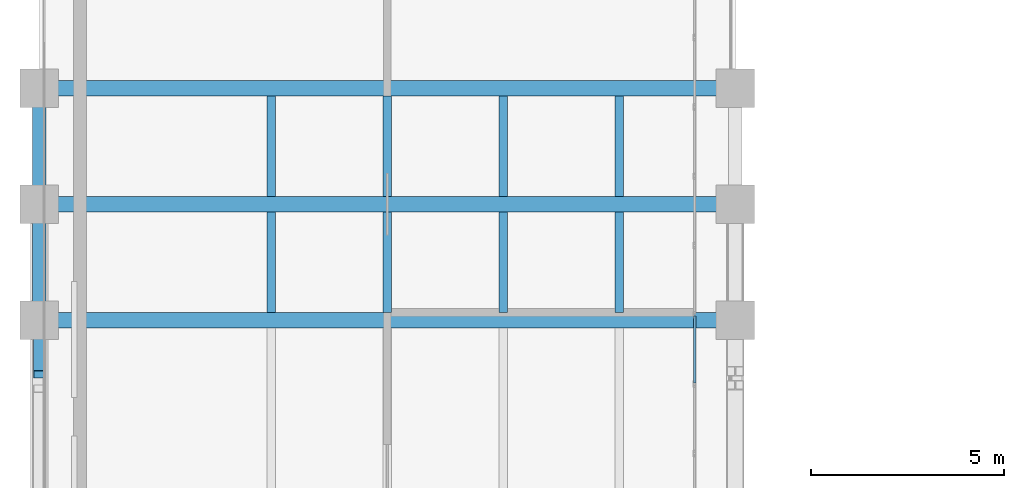
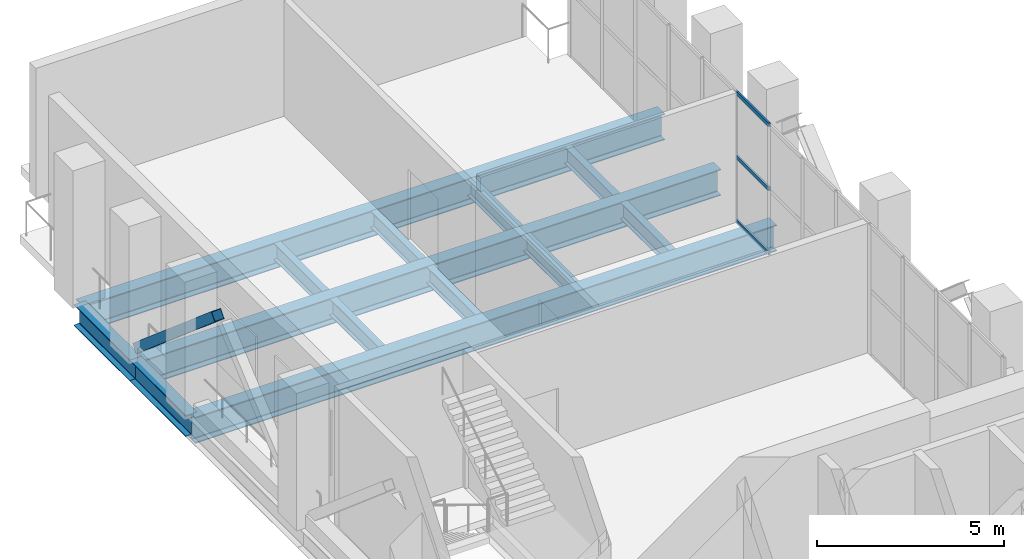
# One storey, part 19 of 27: 13 beams, 4 members, 1 element without a shape of its own.
"""IFC4 building model written with IfcOpenShell, lengths in metres."""

from ifc_helpers import new_model, si_unit, direction, frame, origin, origin_2d, place, context, subcontext, project, spatial, hollow_rectangle, i_section, extrude, material, layer, layer_set, material_profile, profile_set, type_object, element, aggregate, save


model = new_model("IFC4")

# Units and contexts
model_context = context("Model", 3, precision=1e-05, world=origin(), true_north=direction((0.0, 1.0)))
body_context = subcontext(model_context, "Body", "Model", "MODEL_VIEW")
ifc_project = project(units=[si_unit("LENGTHUNIT", "METRE"), si_unit("AREAUNIT", "SQUARE_METRE"), si_unit("VOLUMEUNIT", "CUBIC_METRE"), si_unit("PLANEANGLEUNIT", "RADIAN"), si_unit("MASSUNIT", "GRAM", prefix="KILO")], contexts=[model_context])

# Site, building, storey
site_placement = place(None, origin())
site = spatial("IfcSite", under=ifc_project, at=site_placement, CompositionType="ELEMENT")
building_placement = place(site_placement, origin())
building = spatial("IfcBuilding", under=site, at=building_placement, Name="Mawjdan Bourse Tower", CompositionType="ELEMENT")
storey_placement = place(building_placement, frame((0.0, 0.0, 155.699951171875)))
storey = spatial("IfcBuildingStorey", under=building, at=storey_placement, Name="L37", CompositionType="ELEMENT", Elevation=155.699951171875)

# Member
ifc_material_1 = material(Name="Structural Steel S460", Category="steel")
ifc_material_profile_1 = material_profile(ifc_material_1, hollow_rectangle(XDim=0.300048828125, YDim=0.300048828125, WallThickness=0.012451171875, at=origin_2d()), Name="HSS300X300X12.5")
ifc_profile_set_1 = profile_set([ifc_material_profile_1], Name="Structural Steel S460")
member_type_1 = type_object("IfcMemberType", Name="BRC-HSS300X300X12.5", PredefinedType="BRACE", material=ifc_profile_set_1)
member_1_placement = place(storey_placement, frame((6.0, 34.595947265625, 3.800048828125), z_axis=(0.0, 0.760807747852, -0.648977326883), x_axis=(-1.0, 0.0, 0.0)))
element("IfcMember", 1, at=member_1_placement, inside=storey, type_object=member_type_1, Name="L37 North Outrigger Truss 1 Diagonal 4", PredefinedType="BRACE", context=body_context, shape_type="SweptSolid", body=[
    extrude(hollow_rectangle(XDim=0.300048828125, YDim=0.300048828125, WallThickness=0.012451171875, at=origin_2d()), origin(), (0.0, 0.0, 1.0), 5.54736328125),
])

# Beams
ifc_material_2 = material(Name="Structural Steel S355", Category="steel")
ifc_material_profile_2 = material_profile(ifc_material_2, i_section(OverallWidth=0.39892578125, OverallDepth=0.85595703125, WebThickness=0.018310546875, FlangeThickness=0.029296875, FilletRadius=0.0234375, at=origin_2d()), Name="W33X201")
ifc_profile_set_2 = profile_set([ifc_material_profile_2], Name="Structural Steel S355")
beam_type_1 = type_object("IfcBeamType", Name="GRD-W33X201", PredefinedType="BEAM", material=ifc_profile_set_2)
for number, where, z_axis, x_axis, name in (
    (2, (6.0, 36.0, -0.7080078125), (1.0, 0.0, 0.0), (0.0, 1.0, 0.0), "L37 North Wing Clear-Span Girder 057"),
    (3, (6.0, 39.0, -0.7080078125), (1.0, 0.0, 0.0), (0.0, 1.0, 0.0), "L37 North Wing Clear-Span Girder 058"),
    (4, (6.0, 42.0, -0.7080078125), (1.0, 0.0, 0.0), (0.0, 1.0, 0.0), "L37 North Wing Clear-Span Girder 059"),
):
    element("IfcBeam", number, at=place(storey_placement, frame(where, z_axis=z_axis, x_axis=x_axis)), inside=storey, type_object=beam_type_1, Name=name, PredefinedType="BEAM", context=body_context, shape_type="SweptSolid", body=[
        extrude(i_section(OverallWidth=0.39892578125, OverallDepth=0.85595703125, WebThickness=0.018310546875, FlangeThickness=0.029296875, FilletRadius=0.0234375, at=origin_2d()), origin(), (0.0, 0.0, 1.0), 18.0),
    ])
ifc_material_profile_3 = material_profile(ifc_material_2, i_section(OverallWidth=0.2119140625, OverallDepth=0.5439453125, WebThickness=0.01318359375, FlangeThickness=0.021240234375, FilletRadius=0.01708984375, at=origin_2d()), Name="W21X83")
ifc_profile_set_3 = profile_set([ifc_material_profile_3], Name="Structural Steel S355")
beam_type_2 = type_object("IfcBeamType", Name="JST-W21X83", PredefinedType="JOIST", material=ifc_profile_set_3)
for number, where, z_axis, x_axis, name in (
    (5, (12.0, 36.197509765625, -0.552001953125), (0.0, 1.0, 0.0), (-1.0, 0.0, 0.0), "L37 North Wing Composite Joist 073"),
    (6, (12.0, 39.197509765625, -0.552001953125), (0.0, 1.0, 0.0), (-1.0, 0.0, 0.0), "L37 North Wing Composite Joist 074"),
    (7, (15.0, 36.197509765625, -0.552001953125), (0.0, 1.0, 0.0), (-1.0, 0.0, 0.0), "L37 North Wing Composite Joist 078"),
    (8, (15.0, 39.197509765625, -0.552001953125), (0.0, 1.0, 0.0), (-1.0, 0.0, 0.0), "L37 North Wing Composite Joist 079"),
    (9, (18.0, 36.197509765625, -0.552001953125), (0.0, 1.0, 0.0), (-1.0, 0.0, 0.0), "L37 North Wing Composite Joist 083"),
    (10, (18.0, 39.197509765625, -0.552001953125), (0.0, 1.0, 0.0), (-1.0, 0.0, 0.0), "L37 North Wing Composite Joist 084"),
    (11, (21.0, 36.197509765625, -0.552001953125), (0.0, 1.0, 0.0), (-1.0, 0.0, 0.0), "L37 North Wing Composite Joist 088"),
    (12, (21.0, 39.197509765625, -0.552001953125), (0.0, 1.0, 0.0), (-1.0, 0.0, 0.0), "L37 North Wing Composite Joist 089"),
):
    element("IfcBeam", number, at=place(storey_placement, frame(where, z_axis=z_axis, x_axis=x_axis)), inside=storey, type_object=beam_type_2, Name=name, PredefinedType="JOIST", context=body_context, shape_type="SweptSolid", body=[
        extrude(i_section(OverallWidth=0.2119140625, OverallDepth=0.5439453125, WebThickness=0.01318359375, FlangeThickness=0.021240234375, FilletRadius=0.01708984375, at=origin_2d()), origin(), (0.0, 0.0, 1.0), 2.60498046875),
    ])
ifc_material_profile_4 = material_profile(ifc_material_2, i_section(OverallWidth=0.35498046875, OverallDepth=0.696044921875, WebThickness=0.015380859375, FlangeThickness=0.02490234375, FilletRadius=0.019775390625, at=origin_2d()), Name="W27X146")
ifc_profile_set_4 = profile_set([ifc_material_profile_4], Name="Structural Steel S355")
beam_type_3 = type_object("IfcBeamType", Name="SPN-W27X146", PredefinedType="SPANDREL", material=ifc_profile_set_4)
for number, where, z_axis, x_axis, name in (
    (13, (6.0, 36.0, -0.6279296875), (0.0, 1.0, 0.0), (-1.0, 0.0, 0.0), "L37 North Wing Spandrel 063"),
    (14, (6.0, 39.0, -0.6279296875), (0.0, 1.0, 0.0), (-1.0, 0.0, 0.0), "L37 North Wing Spandrel 064"),
):
    element("IfcBeam", number, at=place(storey_placement, frame(where, z_axis=z_axis, x_axis=x_axis)), inside=storey, type_object=beam_type_3, Name=name, PredefinedType="SPANDREL", context=body_context, shape_type="SweptSolid", body=[
        extrude(i_section(OverallWidth=0.35498046875, OverallDepth=0.696044921875, WebThickness=0.015380859375, FlangeThickness=0.02490234375, FilletRadius=0.019775390625, at=origin_2d()), origin(), (0.0, 0.0, 1.0), 3.0),
    ])

# Curtain wall, members
ifc_material_3 = material(Name="Thermally Broken Aluminium and Solar Glass", Category="aluminium")
ifc_layer = layer(ifc_material_3, 0.219970703125)
ifc_layer_set = layer_set([ifc_layer], Name="Thermally Broken Aluminium and Solar Glass")
curtain_wall_type = type_object("IfcCurtainWallType", Name="CW-RFG", PredefinedType="USERDEFINED", material=ifc_layer_set)
curtain_wall_placement = place(storey_placement, origin())
curtain_wall = element("IfcCurtainWall", 15, at=curtain_wall_placement, inside=storey, type_object=curtain_wall_type, Name="L37 Refuge Band North-Wing Louvre Curtain Wall", ObjectType="REFUGE BAND LOUVRE SCREEN", PredefinedType="USERDEFINED")
ifc_material_4 = material(Name="Thermally Broken Anodised Aluminium", Category="aluminium")
ifc_material_profile_5 = material_profile(ifc_material_4, hollow_rectangle(XDim=0.054931640625, YDim=0.1298828125, WallThickness=0.00341796875, at=origin_2d()), Name="ALU-TRN-130X55")
ifc_profile_set_5 = profile_set([ifc_material_profile_5], Name="Thermally Broken Anodised Aluminium")
member_type_2 = type_object("IfcMemberType", Name="TRN-ALU-TRN-130X55", PredefinedType="USERDEFINED", material=ifc_profile_set_5)
member_2_placement = place(storey_placement, frame((22.949951171875, 34.378662109375, 0.027587890625), z_axis=(0.0, 1.0, 0.0), x_axis=(-1.0, 0.0, 0.0)))
member_2 = element("IfcMember", 16, at=member_2_placement, type_object=member_type_2, Name="CW-RFG-L37-RFG-W transom 8.1", ObjectType="TRANSOM", PredefinedType="USERDEFINED", context=body_context, shape_type="SweptSolid", body=[
    extrude(hollow_rectangle(XDim=0.054931640625, YDim=0.1298828125, WallThickness=0.00341796875, at=origin_2d()), origin(), (0.0, 0.0, 1.0), 1.727294921875),
])
member_3_placement = place(storey_placement, frame((22.949951171875, 34.378662109375, 2.125), z_axis=(0.0, 1.0, 0.0), x_axis=(-1.0, 0.0, 0.0)))
member_3 = element("IfcMember", 17, at=member_3_placement, type_object=member_type_2, Name="CW-RFG-L37-RFG-W transom 8.2", ObjectType="TRANSOM", PredefinedType="USERDEFINED", context=body_context, shape_type="SweptSolid", body=[
    extrude(hollow_rectangle(XDim=0.054931640625, YDim=0.1298828125, WallThickness=0.00341796875, at=origin_2d()), origin(), (0.0, 0.0, 1.0), 1.727294921875),
])
member_4_placement = place(storey_placement, frame((22.949951171875, 34.378662109375, 4.22265625), z_axis=(0.0, 1.0, 0.0), x_axis=(-1.0, 0.0, 0.0)))
member_4 = element("IfcMember", 18, at=member_4_placement, type_object=member_type_2, Name="CW-RFG-L37-RFG-W transom 8.3", ObjectType="TRANSOM", PredefinedType="USERDEFINED", context=body_context, shape_type="SweptSolid", body=[
    extrude(hollow_rectangle(XDim=0.054931640625, YDim=0.1298828125, WallThickness=0.00341796875, at=origin_2d()), origin(), (0.0, 0.0, 1.0), 1.727294921875),
])
aggregate(curtain_wall, [member_2, member_3, member_4])

save(model, "model.ifc")
